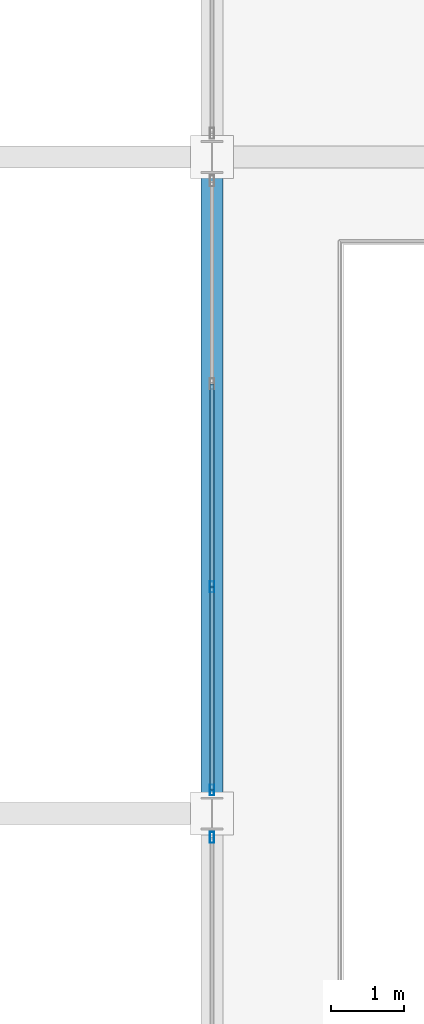
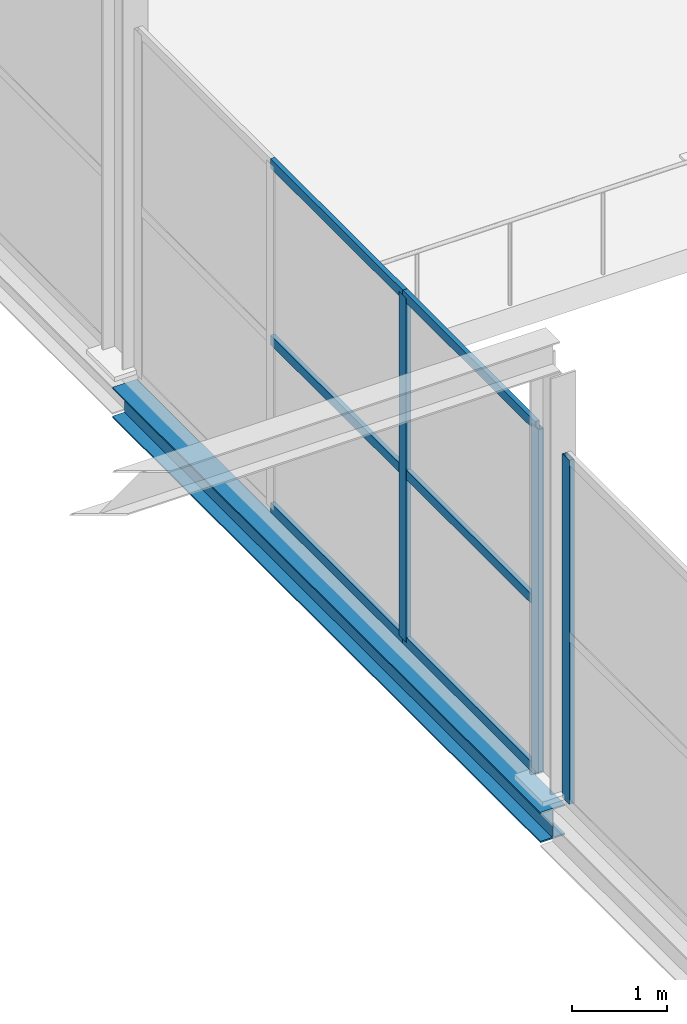
# One storey, part 41 of 147: 9 members, 1 beam, 2 elements without a shape of their own.
"""IFC4 building model written with IfcOpenShell, lengths in metres."""

from ifc_helpers import new_model, si_unit, direction, frame, origin, origin_2d, place, context, subcontext, project, spatial, hollow_rectangle, i_section, extrude, material, layer, layer_set, material_profile, profile_set, type_object, element, aggregate, save


model = new_model("IFC4")

# Units and contexts
model_context = context("Model", 3, precision=1e-05, world=origin(), true_north=direction((0.0, 1.0)))
body_context = subcontext(model_context, "Body", "Model", "MODEL_VIEW")
ifc_project = project(units=[si_unit("LENGTHUNIT", "METRE"), si_unit("AREAUNIT", "SQUARE_METRE"), si_unit("VOLUMEUNIT", "CUBIC_METRE"), si_unit("PLANEANGLEUNIT", "RADIAN"), si_unit("MASSUNIT", "GRAM", prefix="KILO")], contexts=[model_context])

# Site, building, storey
site_placement = place(None, origin())
site = spatial("IfcSite", under=ifc_project, at=site_placement, CompositionType="ELEMENT")
building_placement = place(site_placement, origin())
building = spatial("IfcBuilding", under=site, at=building_placement, Name="Sundgate Opera House", CompositionType="ELEMENT")
storey_placement = place(building_placement, frame((0.0, 0.0, 6.0)))
storey = spatial("IfcBuildingStorey", under=building, at=storey_placement, Name="L01", CompositionType="ELEMENT", Elevation=6.0)

# Beam
ifc_material_1 = material(Name="Steel S355J2", Category="steel")
ifc_material_profile_1 = material_profile(ifc_material_1, i_section(OverallWidth=0.300048828125, OverallDepth=0.389892578125, WebThickness=0.010986328125, FlangeThickness=0.01904296875, at=origin_2d()), Name="HEA 400")
ifc_profile_set_1 = profile_set([ifc_material_profile_1], Name="Steel S355J2")
beam_type = type_object("IfcBeamType", Name="BM-GR-HEA400", PredefinedType="BEAM", material=ifc_profile_set_1)
beam_placement = place(storey_placement, frame((95.39990234375, 51.0, -0.4951171875), z_axis=(0.0, 1.0, 0.0), x_axis=(-1.0, 0.0, 0.0)))
element("IfcBeam", 1, at=beam_placement, inside=storey, type_object=beam_type, Name="L01 Primary N-S Girder B1149", PredefinedType="BEAM", context=body_context, shape_type="SweptSolid", body=[
    extrude(i_section(OverallWidth=0.300048828125, OverallDepth=0.389892578125, WebThickness=0.010986328125, FlangeThickness=0.01904296875, at=origin_2d()), origin(), (0.0, 0.0, 1.0), 9.0),
])

# Curtain wall, member
ifc_material_2 = material(Name="Anodized aluminium and low-iron glass", Category="aluminium")
ifc_layer = layer(ifc_material_2, 0.159912109375)
ifc_layer_set = layer_set([ifc_layer], Name="Anodized aluminium and low-iron glass")
curtain_wall_type = type_object("IfcCurtainWallType", Name="CW-STUDIO-DARK", PredefinedType="NOTDEFINED", material=ifc_layer_set)
curtain_wall_1_placement = place(storey_placement, origin())
curtain_wall_1 = element("IfcCurtainWall", 2, at=curtain_wall_1_placement, inside=storey, type_object=curtain_wall_type, Name="L01 Curtain Wall CW046", PredefinedType="NOTDEFINED")
ifc_material_3 = material(Name="Anodized aluminium EN AW-6063", Category="aluminium")
ifc_material_profile_2 = material_profile(ifc_material_3, hollow_rectangle(XDim=0.06005859375, YDim=0.14990234375, WallThickness=0.00390625, at=origin_2d()), Name="CWM 150x60x4")
ifc_profile_set_2 = profile_set([ifc_material_profile_2], Name="Anodized aluminium EN AW-6063")
member_type_1 = type_object("IfcMemberType", Name="CWM-ALU-150x60", PredefinedType="MULLION", material=ifc_profile_set_2)
member_1_placement = place(storey_placement, frame((95.39990234375, 50.675048828125, 0.0), z_axis=(0.0, 0.0, 1.0), x_axis=(1.0, 0.0, 0.0)))
member_1 = element("IfcMember", 3, at=member_1_placement, type_object=member_type_1, Name="CW046 Mullion 1", PredefinedType="MULLION", context=body_context, shape_type="SweptSolid", body=[
    extrude(hollow_rectangle(XDim=0.06005859375, YDim=0.14990234375, WallThickness=0.00390625, at=origin_2d()), origin(), (0.0, 0.0, 1.0), 4.4150390625),
])
aggregate(curtain_wall_1, [member_1])

# Curtain wall, members
curtain_wall_2_placement = place(storey_placement, origin())
curtain_wall_2 = element("IfcCurtainWall", 4, at=curtain_wall_2_placement, inside=storey, type_object=curtain_wall_type, Name="L01 Curtain Wall CW048", PredefinedType="NOTDEFINED")
member_2_placement = place(storey_placement, frame((95.39990234375, 54.1083984375, 0.0), z_axis=(0.0, 0.0, 1.0), x_axis=(1.0, 0.0, 0.0)))
member_2 = element("IfcMember", 5, at=member_2_placement, type_object=member_type_1, Name="CW048 Mullion 3", PredefinedType="MULLION", context=body_context, shape_type="SweptSolid", body=[
    extrude(hollow_rectangle(XDim=0.06005859375, YDim=0.14990234375, WallThickness=0.00390625, at=origin_2d()), origin(), (0.0, 0.0, 1.0), 4.4150390625),
])
member_3_placement = place(storey_placement, frame((95.39990234375, 51.324951171875, 0.0), z_axis=(0.0, 0.0, 1.0), x_axis=(1.0, 0.0, 0.0)))
member_3 = element("IfcMember", 6, at=member_3_placement, type_object=member_type_1, Name="CW048 Mullion 4", PredefinedType="MULLION", context=body_context, shape_type="SweptSolid", body=[
    extrude(hollow_rectangle(XDim=0.06005859375, YDim=0.14990234375, WallThickness=0.00390625, at=origin_2d()), origin(), (0.0, 0.0, 1.0), 4.4150390625),
])
ifc_material_4 = material(Name="Anodized aluminium EN AW-6063", Category="aluminium")
ifc_material_profile_3 = material_profile(ifc_material_4, hollow_rectangle(XDim=0.054931640625, YDim=0.1201171875, WallThickness=0.00390625, at=origin_2d()), Name="CWT 120x55x4")
ifc_profile_set_3 = profile_set([ifc_material_profile_3], Name="Anodized aluminium EN AW-6063")
member_type_2 = type_object("IfcMemberType", Name="CWT-ALU-120x55", PredefinedType="USERDEFINED", material=ifc_profile_set_3)
member_4_placement = place(storey_placement, frame((95.39990234375, 56.8916015625, 0.0), z_axis=(0.0, -1.0, 0.0), x_axis=(1.0, 0.0, 0.0)))
member_4 = element("IfcMember", 7, at=member_4_placement, type_object=member_type_2, Name="CW048 Transom 4", ObjectType="TRANSOM", PredefinedType="USERDEFINED", context=body_context, shape_type="SweptSolid", body=[
    extrude(hollow_rectangle(XDim=0.054931640625, YDim=0.1201171875, WallThickness=0.00390625, at=origin_2d()), origin(), (0.0, 0.0, 1.0), 2.783203125),
])
member_5_placement = place(storey_placement, frame((95.39990234375, 56.8916015625, 2.14990234375), z_axis=(0.0, -1.0, 0.0), x_axis=(1.0, 0.0, 0.0)))
member_5 = element("IfcMember", 8, at=member_5_placement, type_object=member_type_2, Name="CW048 Transom 5", ObjectType="TRANSOM", PredefinedType="USERDEFINED", context=body_context, shape_type="SweptSolid", body=[
    extrude(hollow_rectangle(XDim=0.054931640625, YDim=0.1201171875, WallThickness=0.00390625, at=origin_2d()), origin(), (0.0, 0.0, 1.0), 2.783203125),
])
member_6_placement = place(storey_placement, frame((95.39990234375, 56.8916015625, 4.4150390625), z_axis=(0.0, -1.0, 0.0), x_axis=(1.0, 0.0, 0.0)))
member_6 = element("IfcMember", 9, at=member_6_placement, type_object=member_type_2, Name="CW048 Transom 6", ObjectType="TRANSOM", PredefinedType="USERDEFINED", context=body_context, shape_type="SweptSolid", body=[
    extrude(hollow_rectangle(XDim=0.054931640625, YDim=0.1201171875, WallThickness=0.00390625, at=origin_2d()), origin(), (0.0, 0.0, 1.0), 2.783203125),
])
member_7_placement = place(storey_placement, frame((95.39990234375, 54.1083984375, 0.0), z_axis=(0.0, -1.0, 0.0), x_axis=(1.0, 0.0, 0.0)))
member_7 = element("IfcMember", 10, at=member_7_placement, type_object=member_type_2, Name="CW048 Transom 7", ObjectType="TRANSOM", PredefinedType="USERDEFINED", context=body_context, shape_type="SweptSolid", body=[
    extrude(hollow_rectangle(XDim=0.054931640625, YDim=0.1201171875, WallThickness=0.00390625, at=origin_2d()), origin(), (0.0, 0.0, 1.0), 2.783447265625),
])
member_8_placement = place(storey_placement, frame((95.39990234375, 54.1083984375, 2.14990234375), z_axis=(0.0, -1.0, 0.0), x_axis=(1.0, 0.0, 0.0)))
member_8 = element("IfcMember", 11, at=member_8_placement, type_object=member_type_2, Name="CW048 Transom 8", ObjectType="TRANSOM", PredefinedType="USERDEFINED", context=body_context, shape_type="SweptSolid", body=[
    extrude(hollow_rectangle(XDim=0.054931640625, YDim=0.1201171875, WallThickness=0.00390625, at=origin_2d()), origin(), (0.0, 0.0, 1.0), 2.783447265625),
])
member_9_placement = place(storey_placement, frame((95.39990234375, 54.1083984375, 4.4150390625), z_axis=(0.0, -1.0, 0.0), x_axis=(1.0, 0.0, 0.0)))
member_9 = element("IfcMember", 12, at=member_9_placement, type_object=member_type_2, Name="CW048 Transom 9", ObjectType="TRANSOM", PredefinedType="USERDEFINED", context=body_context, shape_type="SweptSolid", body=[
    extrude(hollow_rectangle(XDim=0.054931640625, YDim=0.1201171875, WallThickness=0.00390625, at=origin_2d()), origin(), (0.0, 0.0, 1.0), 2.783447265625),
])
aggregate(curtain_wall_2, [member_2, member_3, member_4, member_5, member_6, member_7, member_8, member_9])

save(model, "model.ifc")
